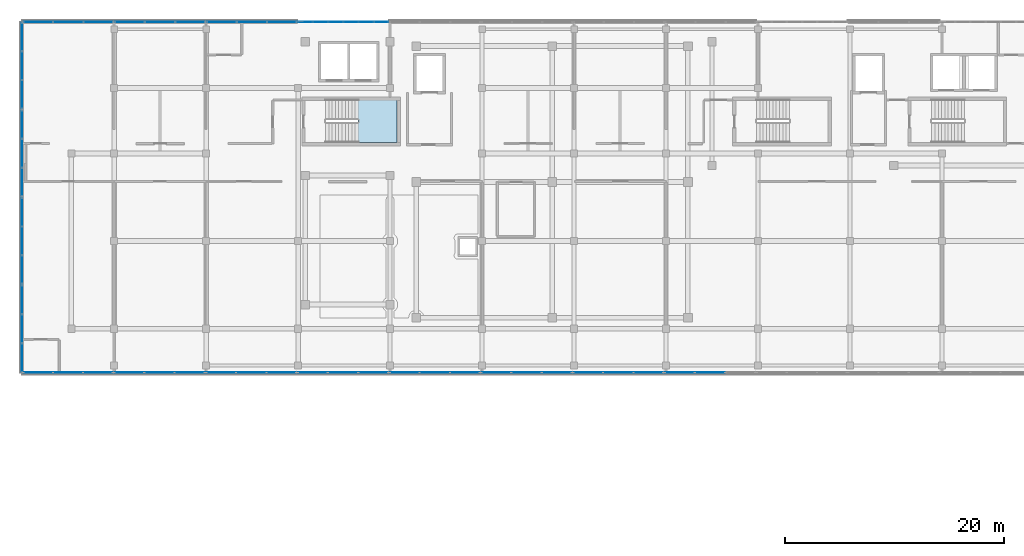
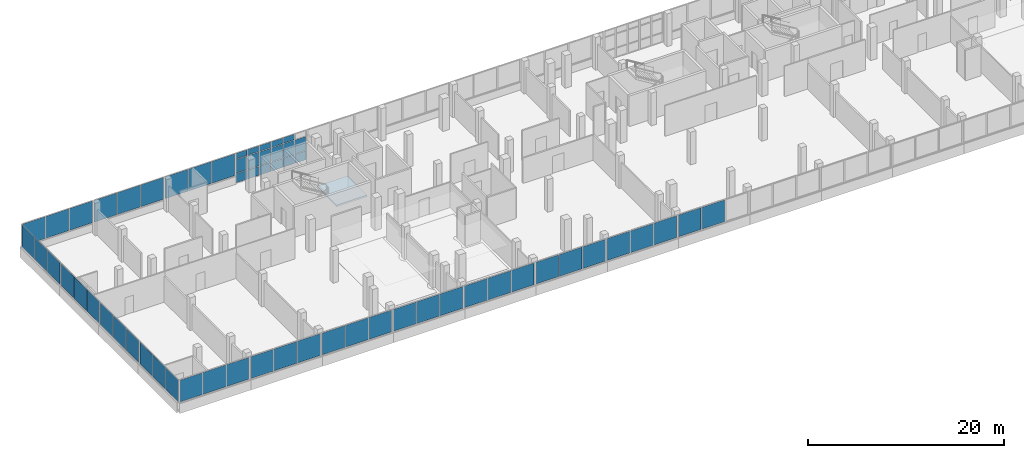
# One storey, part 61 of 76: 61 plates, 1 slab, 17 elements without a shape of their own.
"""IFC4 building model written with IfcOpenShell, lengths in metres."""

from ifc_helpers import new_model, si_unit, direction, frame, origin, origin_2d, place, context, subcontext, project, spatial, polyline, rectangle, outline, extrude, material, layer, layer_set, type_object, element, aggregate, save


model = new_model("IFC4")

# Units and contexts
model_context = context("Model", 3, precision=1e-05, world=origin(), true_north=direction((0.0, 1.0)))
body_context = subcontext(model_context, "Body", "Model", "MODEL_VIEW")
ifc_project = project(units=[si_unit("LENGTHUNIT", "METRE"), si_unit("AREAUNIT", "SQUARE_METRE"), si_unit("VOLUMEUNIT", "CUBIC_METRE"), si_unit("PLANEANGLEUNIT", "RADIAN"), si_unit("MASSUNIT", "GRAM", prefix="KILO")], contexts=[model_context])

# Site, building, storey
site_placement = place(None, origin())
site = spatial("IfcSite", under=ifc_project, at=site_placement, CompositionType="ELEMENT")
building_placement = place(site_placement, origin())
building = spatial("IfcBuilding", under=site, at=building_placement, Name="Selatvlak General Hospital", CompositionType="ELEMENT")
storey_placement = place(building_placement, frame((0.0, 0.0, 27.300048828125)))
storey = spatial("IfcBuildingStorey", under=building, at=storey_placement, Name="L06", CompositionType="ELEMENT", Elevation=27.300048828125)

# Curtain wall, plates
ifc_material_1 = material(Name="Solar-control Low-E double glazing", Category="glass")
curtain_wall_type_1 = type_object("IfcCurtainWallType", Name="CW-CW-02", PredefinedType="USERDEFINED", material=ifc_material_1)
curtain_wall_1_placement = place(storey_placement, origin())
curtain_wall_1 = element("IfcCurtainWall", 1, at=curtain_wall_1_placement, inside=storey, type_object=curtain_wall_type_1, Name="Glazed facade curtain wall CW-L06-0594", ObjectType="UNITISED CURTAIN WALL", PredefinedType="USERDEFINED")
ifc_layer_1 = layer(ifc_material_1, 0.028076171875, Name="Solar-control Low-E double glazing", Category="glass")
ifc_layer_set_1 = layer_set([ifc_layer_1], Name="Solar-control Low-E double glazing")
plate_type = type_object("IfcPlateType", Name="CWP-01", PredefinedType="CURTAIN_PANEL", material=ifc_layer_set_1)
plate_1_placement = place(storey_placement, frame((22.800048828125, 89.359619140625, 1.0048828125), z_axis=(0.0, 0.0, 1.0), x_axis=(0.0, 1.0, 0.0)))
plate_1 = element("IfcPlate", 2, at=plate_1_placement, type_object=plate_type, Name="CW-02 panel 1.1", PredefinedType="CURTAIN_PANEL", context=body_context, shape_type="SweptSolid", body=[
    extrude(rectangle(XDim=2.55908203125, YDim=0.028076171875, at=origin_2d()), origin(), (0.0, 0.0, 1.0), 2.7099609375),
])
plate_2_placement = place(storey_placement, frame((22.800048828125, 92.0, 1.0048828125), z_axis=(0.0, 0.0, 1.0), x_axis=(0.0, 1.0, 0.0)))
plate_2 = element("IfcPlate", 3, at=plate_2_placement, type_object=plate_type, Name="CW-02 panel 2.1", PredefinedType="CURTAIN_PANEL", context=body_context, shape_type="SweptSolid", body=[
    extrude(rectangle(XDim=2.591552734375, YDim=0.028076171875, at=origin_2d()), origin(), (0.0, 0.0, 1.0), 2.7099609375),
])
plate_3_placement = place(storey_placement, frame((22.800048828125, 94.640380859375, 1.0048828125), z_axis=(0.0, 0.0, 1.0), x_axis=(0.0, 1.0, 0.0)))
plate_3 = element("IfcPlate", 4, at=plate_3_placement, type_object=plate_type, Name="CW-02 panel 3.1", PredefinedType="CURTAIN_PANEL", context=body_context, shape_type="SweptSolid", body=[
    extrude(rectangle(XDim=2.55908203125, YDim=0.028076171875, at=origin_2d()), origin(), (0.0, 0.0, 1.0), 2.7099609375),
])
aggregate(curtain_wall_1, [plate_1, plate_2, plate_3])

curtain_wall_type_2 = type_object("IfcCurtainWallType", Name="CW-CW-01", PredefinedType="USERDEFINED", material=ifc_material_1)
curtain_wall_2_placement = place(storey_placement, origin())
curtain_wall_2 = element("IfcCurtainWall", 5, at=curtain_wall_2_placement, inside=storey, type_object=curtain_wall_type_2, Name="Glazed facade curtain wall CW-L06-0595", ObjectType="UNITISED CURTAIN WALL", PredefinedType="USERDEFINED")
plate_4_placement = place(storey_placement, frame((22.800048828125, 97.401123046875, 1.0048828125), z_axis=(0.0, 0.0, 1.0), x_axis=(0.0, 1.0, 0.0)))
plate_4 = element("IfcPlate", 6, at=plate_4_placement, type_object=plate_type, Name="CW-01 panel 1.1", PredefinedType="CURTAIN_PANEL", context=body_context, shape_type="SweptSolid", body=[
    extrude(rectangle(XDim=2.542236328125, YDim=0.028076171875, at=origin_2d()), origin(), (0.0, 0.0, 1.0), 2.7099609375),
])
plate_5_placement = place(storey_placement, frame((22.800048828125, 100.0244140625, 1.0048828125), z_axis=(0.0, 0.0, 1.0), x_axis=(0.0, 1.0, 0.0)))
plate_5 = element("IfcPlate", 7, at=plate_5_placement, type_object=plate_type, Name="CW-01 panel 2.1", PredefinedType="CURTAIN_PANEL", context=body_context, shape_type="SweptSolid", body=[
    extrude(rectangle(XDim=2.57470703125, YDim=0.028076171875, at=origin_2d()), origin(), (0.0, 0.0, 1.0), 2.7099609375),
])
plate_6_placement = place(storey_placement, frame((22.800048828125, 102.64794921875, 1.0048828125), z_axis=(0.0, 0.0, 1.0), x_axis=(0.0, 1.0, 0.0)))
plate_6 = element("IfcPlate", 8, at=plate_6_placement, type_object=plate_type, Name="CW-01 panel 3.1", PredefinedType="CURTAIN_PANEL", context=body_context, shape_type="SweptSolid", body=[
    extrude(rectangle(XDim=2.542236328125, YDim=0.028076171875, at=origin_2d()), origin(), (0.0, 0.0, 1.0), 2.7099609375),
])
aggregate(curtain_wall_2, [plate_4, plate_5, plate_6])

curtain_wall_3_placement = place(storey_placement, origin())
curtain_wall_3 = element("IfcCurtainWall", 9, at=curtain_wall_3_placement, inside=storey, type_object=curtain_wall_type_1, Name="Glazed facade curtain wall CW-L06-0596", ObjectType="UNITISED CURTAIN WALL", PredefinedType="USERDEFINED")
plate_7_placement = place(storey_placement, frame((22.800048828125, 105.400146484375, 1.0048828125), z_axis=(0.0, 0.0, 1.0), x_axis=(0.0, 1.0, 0.0)))
plate_7 = element("IfcPlate", 10, at=plate_7_placement, type_object=plate_type, Name="CW-02 panel 1.1", PredefinedType="CURTAIN_PANEL", context=body_context, shape_type="SweptSolid", body=[
    extrude(rectangle(XDim=2.54248046875, YDim=0.028076171875, at=origin_2d()), origin(), (0.0, 0.0, 1.0), 2.7099609375),
])
plate_8_placement = place(storey_placement, frame((22.800048828125, 108.02392578125, 1.0048828125), z_axis=(0.0, 0.0, 1.0), x_axis=(0.0, 1.0, 0.0)))
plate_8 = element("IfcPlate", 11, at=plate_8_placement, type_object=plate_type, Name="CW-02 panel 2.1", PredefinedType="CURTAIN_PANEL", context=body_context, shape_type="SweptSolid", body=[
    extrude(rectangle(XDim=2.574951171875, YDim=0.028076171875, at=origin_2d()), origin(), (0.0, 0.0, 1.0), 2.7099609375),
])
plate_9_placement = place(storey_placement, frame((22.800048828125, 110.647705078125, 1.0048828125), z_axis=(0.0, 0.0, 1.0), x_axis=(0.0, 1.0, 0.0)))
plate_9 = element("IfcPlate", 12, at=plate_9_placement, type_object=plate_type, Name="CW-02 panel 3.1", PredefinedType="CURTAIN_PANEL", context=body_context, shape_type="SweptSolid", body=[
    extrude(rectangle(XDim=2.54248046875, YDim=0.028076171875, at=origin_2d()), origin(), (0.0, 0.0, 1.0), 2.7099609375),
])
aggregate(curtain_wall_3, [plate_7, plate_8, plate_9])

curtain_wall_4_placement = place(storey_placement, origin())
curtain_wall_4 = element("IfcCurtainWall", 13, at=curtain_wall_4_placement, inside=storey, type_object=curtain_wall_type_2, Name="Glazed facade curtain wall CW-L06-0597", ObjectType="UNITISED CURTAIN WALL", PredefinedType="USERDEFINED")
plate_10_placement = place(storey_placement, frame((22.800048828125, 113.400146484375, 1.0048828125), z_axis=(0.0, 0.0, 1.0), x_axis=(0.0, 1.0, 0.0)))
plate_10 = element("IfcPlate", 14, at=plate_10_placement, type_object=plate_type, Name="CW-01 panel 1.1", PredefinedType="CURTAIN_PANEL", context=body_context, shape_type="SweptSolid", body=[
    extrude(rectangle(XDim=2.54248046875, YDim=0.028076171875, at=origin_2d()), origin(), (0.0, 0.0, 1.0), 2.7099609375),
])
plate_11_placement = place(storey_placement, frame((22.800048828125, 116.02392578125, 1.0048828125), z_axis=(0.0, 0.0, 1.0), x_axis=(0.0, 1.0, 0.0)))
plate_11 = element("IfcPlate", 15, at=plate_11_placement, type_object=plate_type, Name="CW-01 panel 2.1", PredefinedType="CURTAIN_PANEL", context=body_context, shape_type="SweptSolid", body=[
    extrude(rectangle(XDim=2.574951171875, YDim=0.028076171875, at=origin_2d()), origin(), (0.0, 0.0, 1.0), 2.7099609375),
])
plate_12_placement = place(storey_placement, frame((22.800048828125, 118.647705078125, 1.0048828125), z_axis=(0.0, 0.0, 1.0), x_axis=(0.0, 1.0, 0.0)))
plate_12 = element("IfcPlate", 16, at=plate_12_placement, type_object=plate_type, Name="CW-01 panel 3.1", PredefinedType="CURTAIN_PANEL", context=body_context, shape_type="SweptSolid", body=[
    extrude(rectangle(XDim=2.54248046875, YDim=0.028076171875, at=origin_2d()), origin(), (0.0, 0.0, 1.0), 2.7099609375),
])
aggregate(curtain_wall_4, [plate_10, plate_11, plate_12])

curtain_wall_5_placement = place(storey_placement, origin())
curtain_wall_5 = element("IfcCurtainWall", 17, at=curtain_wall_5_placement, inside=storey, type_object=curtain_wall_type_1, Name="Glazed facade curtain wall CW-L06-0598", ObjectType="UNITISED CURTAIN WALL", PredefinedType="USERDEFINED")
plate_13_placement = place(storey_placement, frame((24.264404296875, 119.9990234375, 1.0048828125), z_axis=(0.0, 0.0, 1.0), x_axis=(1.0, 0.0, 0.0)))
plate_13 = element("IfcPlate", 18, at=plate_13_placement, type_object=plate_type, Name="CW-02 panel 1.1", PredefinedType="CURTAIN_PANEL", context=body_context, shape_type="SweptSolid", body=[
    extrude(rectangle(XDim=2.6689453125, YDim=0.028076171875, at=origin_2d()), origin(), (0.0, 0.0, 1.0), 2.7099609375),
])
plate_14_placement = place(storey_placement, frame((27.014404296875, 119.9990234375, 1.0048828125), z_axis=(0.0, 0.0, 1.0), x_axis=(1.0, 0.0, 0.0)))
plate_14 = element("IfcPlate", 19, at=plate_14_placement, type_object=plate_type, Name="CW-02 panel 2.1", PredefinedType="CURTAIN_PANEL", context=body_context, shape_type="SweptSolid", body=[
    extrude(rectangle(XDim=2.701416015625, YDim=0.028076171875, at=origin_2d()), origin(), (0.0, 0.0, 1.0), 2.7099609375),
])
plate_15_placement = place(storey_placement, frame((29.7646484375, 119.9990234375, 1.0048828125), z_axis=(0.0, 0.0, 1.0), x_axis=(1.0, 0.0, 0.0)))
plate_15 = element("IfcPlate", 20, at=plate_15_placement, type_object=plate_type, Name="CW-02 panel 3.1", PredefinedType="CURTAIN_PANEL", context=body_context, shape_type="SweptSolid", body=[
    extrude(rectangle(XDim=2.6689453125, YDim=0.028076171875, at=origin_2d()), origin(), (0.0, 0.0, 1.0), 2.7099609375),
])
aggregate(curtain_wall_5, [plate_13, plate_14, plate_15])

curtain_wall_6_placement = place(storey_placement, origin())
curtain_wall_6 = element("IfcCurtainWall", 21, at=curtain_wall_6_placement, inside=storey, type_object=curtain_wall_type_2, Name="Glazed facade curtain wall CW-L06-0599", ObjectType="UNITISED CURTAIN WALL", PredefinedType="USERDEFINED")
plate_16_placement = place(storey_placement, frame((32.643310546875, 119.9990234375, 1.0048828125), z_axis=(0.0, 0.0, 1.0), x_axis=(1.0, 0.0, 0.0)))
plate_16 = element("IfcPlate", 22, at=plate_16_placement, type_object=plate_type, Name="CW-01 panel 1.1", PredefinedType="CURTAIN_PANEL", context=body_context, shape_type="SweptSolid", body=[
    extrude(rectangle(XDim=2.6689453125, YDim=0.028076171875, at=origin_2d()), origin(), (0.0, 0.0, 1.0), 2.7099609375),
])
plate_17_placement = place(storey_placement, frame((35.3935546875, 119.9990234375, 1.0048828125), z_axis=(0.0, 0.0, 1.0), x_axis=(1.0, 0.0, 0.0)))
plate_17 = element("IfcPlate", 23, at=plate_17_placement, type_object=plate_type, Name="CW-01 panel 2.1", PredefinedType="CURTAIN_PANEL", context=body_context, shape_type="SweptSolid", body=[
    extrude(rectangle(XDim=2.701416015625, YDim=0.028076171875, at=origin_2d()), origin(), (0.0, 0.0, 1.0), 2.7099609375),
])
plate_18_placement = place(storey_placement, frame((38.1435546875, 119.9990234375, 1.0048828125), z_axis=(0.0, 0.0, 1.0), x_axis=(1.0, 0.0, 0.0)))
plate_18 = element("IfcPlate", 24, at=plate_18_placement, type_object=plate_type, Name="CW-01 panel 3.1", PredefinedType="CURTAIN_PANEL", context=body_context, shape_type="SweptSolid", body=[
    extrude(rectangle(XDim=2.6689453125, YDim=0.028076171875, at=origin_2d()), origin(), (0.0, 0.0, 1.0), 2.7099609375),
])
aggregate(curtain_wall_6, [plate_16, plate_17, plate_18])

curtain_wall_7_placement = place(storey_placement, origin())
curtain_wall_7 = element("IfcCurtainWall", 25, at=curtain_wall_7_placement, inside=storey, type_object=curtain_wall_type_1, Name="Glazed facade curtain wall CW-L06-0600", ObjectType="UNITISED CURTAIN WALL", PredefinedType="USERDEFINED")
plate_19_placement = place(storey_placement, frame((41.0224609375, 119.9990234375, 1.0048828125), z_axis=(0.0, 0.0, 1.0), x_axis=(1.0, 0.0, 0.0)))
plate_19 = element("IfcPlate", 26, at=plate_19_placement, type_object=plate_type, Name="CW-02 panel 1.1", PredefinedType="CURTAIN_PANEL", context=body_context, shape_type="SweptSolid", body=[
    extrude(rectangle(XDim=2.6689453125, YDim=0.028076171875, at=origin_2d()), origin(), (0.0, 0.0, 1.0), 2.7099609375),
])
plate_20_placement = place(storey_placement, frame((43.7724609375, 119.9990234375, 1.0048828125), z_axis=(0.0, 0.0, 1.0), x_axis=(1.0, 0.0, 0.0)))
plate_20 = element("IfcPlate", 27, at=plate_20_placement, type_object=plate_type, Name="CW-02 panel 2.1", PredefinedType="CURTAIN_PANEL", context=body_context, shape_type="SweptSolid", body=[
    extrude(rectangle(XDim=2.701416015625, YDim=0.028076171875, at=origin_2d()), origin(), (0.0, 0.0, 1.0), 2.7099609375),
])
plate_21_placement = place(storey_placement, frame((46.522705078125, 119.9990234375, 1.0048828125), z_axis=(0.0, 0.0, 1.0), x_axis=(1.0, 0.0, 0.0)))
plate_21 = element("IfcPlate", 28, at=plate_21_placement, type_object=plate_type, Name="CW-02 panel 3.1", PredefinedType="CURTAIN_PANEL", context=body_context, shape_type="SweptSolid", body=[
    extrude(rectangle(XDim=2.6689453125, YDim=0.028076171875, at=origin_2d()), origin(), (0.0, 0.0, 1.0), 2.7099609375),
])
aggregate(curtain_wall_7, [plate_19, plate_20, plate_21])

curtain_wall_type_3 = type_object("IfcCurtainWallType", Name="CW-CW-04", PredefinedType="USERDEFINED", material=ifc_material_1)
curtain_wall_8_placement = place(storey_placement, origin())
curtain_wall_8 = element("IfcCurtainWall", 29, at=curtain_wall_8_placement, inside=storey, type_object=curtain_wall_type_3, Name="Glazed facade curtain wall CW-L06-0601", ObjectType="STICK GLAZING WALL", PredefinedType="USERDEFINED")
plate_22_placement = place(storey_placement, frame((48.6640625, 119.9990234375, 0.06494140625), z_axis=(0.0, 0.0, 1.0), x_axis=(1.0, 0.0, 0.0)))
plate_22 = element("IfcPlate", 30, at=plate_22_placement, type_object=plate_type, Name="CW-04 panel 1.1", PredefinedType="CURTAIN_PANEL", context=body_context, shape_type="SweptSolid", body=[
    extrude(rectangle(XDim=1.2939453125, YDim=0.028076171875, at=origin_2d()), origin(), (0.0, 0.0, 1.0), 1.1025390625),
])
plate_23_placement = place(storey_placement, frame((48.6640625, 119.9990234375, 1.232421875), z_axis=(0.0, 0.0, 1.0), x_axis=(1.0, 0.0, 0.0)))
plate_23 = element("IfcPlate", 31, at=plate_23_placement, type_object=plate_type, Name="CW-04 panel 1.2", PredefinedType="CURTAIN_PANEL", context=body_context, shape_type="SweptSolid", body=[
    extrude(rectangle(XDim=1.2939453125, YDim=0.028076171875, at=origin_2d()), origin(), (0.0, 0.0, 1.0), 1.715087890625),
])
plate_24_placement = place(storey_placement, frame((48.6640625, 119.9990234375, 3.0126953125), z_axis=(0.0, 0.0, 1.0), x_axis=(1.0, 0.0, 0.0)))
plate_24 = element("IfcPlate", 32, at=plate_24_placement, type_object=plate_type, Name="CW-04 panel 1.3", PredefinedType="CURTAIN_PANEL", context=body_context, shape_type="SweptSolid", body=[
    extrude(rectangle(XDim=1.2939453125, YDim=0.028076171875, at=origin_2d()), origin(), (0.0, 0.0, 1.0), 0.702392578125),
])
plate_25_placement = place(storey_placement, frame((50.039306640625, 119.9990234375, 0.06494140625), z_axis=(0.0, 0.0, 1.0), x_axis=(1.0, 0.0, 0.0)))
plate_25 = element("IfcPlate", 33, at=plate_25_placement, type_object=plate_type, Name="CW-04 panel 2.1", PredefinedType="CURTAIN_PANEL", context=body_context, shape_type="SweptSolid", body=[
    extrude(rectangle(XDim=1.326416015625, YDim=0.028076171875, at=origin_2d()), origin(), (0.0, 0.0, 1.0), 1.1025390625),
])
plate_26_placement = place(storey_placement, frame((50.039306640625, 119.9990234375, 1.232421875), z_axis=(0.0, 0.0, 1.0), x_axis=(1.0, 0.0, 0.0)))
plate_26 = element("IfcPlate", 34, at=plate_26_placement, type_object=plate_type, Name="CW-04 panel 2.2", PredefinedType="CURTAIN_PANEL", context=body_context, shape_type="SweptSolid", body=[
    extrude(rectangle(XDim=1.326416015625, YDim=0.028076171875, at=origin_2d()), origin(), (0.0, 0.0, 1.0), 1.715087890625),
])
plate_27_placement = place(storey_placement, frame((50.039306640625, 119.9990234375, 3.0126953125), z_axis=(0.0, 0.0, 1.0), x_axis=(1.0, 0.0, 0.0)))
plate_27 = element("IfcPlate", 35, at=plate_27_placement, type_object=plate_type, Name="CW-04 panel 2.3", PredefinedType="CURTAIN_PANEL", context=body_context, shape_type="SweptSolid", body=[
    extrude(rectangle(XDim=1.326416015625, YDim=0.028076171875, at=origin_2d()), origin(), (0.0, 0.0, 1.0), 0.702392578125),
])
plate_28_placement = place(storey_placement, frame((51.4306640625, 119.9990234375, 0.06494140625), z_axis=(0.0, 0.0, 1.0), x_axis=(1.0, 0.0, 0.0)))
plate_28 = element("IfcPlate", 36, at=plate_28_placement, type_object=plate_type, Name="CW-04 panel 3.1", PredefinedType="CURTAIN_PANEL", context=body_context, shape_type="SweptSolid", body=[
    extrude(rectangle(XDim=1.326416015625, YDim=0.028076171875, at=origin_2d()), origin(), (0.0, 0.0, 1.0), 1.1025390625),
])
plate_29_placement = place(storey_placement, frame((51.4306640625, 119.9990234375, 1.232421875), z_axis=(0.0, 0.0, 1.0), x_axis=(1.0, 0.0, 0.0)))
plate_29 = element("IfcPlate", 37, at=plate_29_placement, type_object=plate_type, Name="CW-04 panel 3.2", PredefinedType="CURTAIN_PANEL", context=body_context, shape_type="SweptSolid", body=[
    extrude(rectangle(XDim=1.326416015625, YDim=0.028076171875, at=origin_2d()), origin(), (0.0, 0.0, 1.0), 1.715087890625),
])
plate_30_placement = place(storey_placement, frame((51.4306640625, 119.9990234375, 3.0126953125), z_axis=(0.0, 0.0, 1.0), x_axis=(1.0, 0.0, 0.0)))
plate_30 = element("IfcPlate", 38, at=plate_30_placement, type_object=plate_type, Name="CW-04 panel 3.3", PredefinedType="CURTAIN_PANEL", context=body_context, shape_type="SweptSolid", body=[
    extrude(rectangle(XDim=1.326416015625, YDim=0.028076171875, at=origin_2d()), origin(), (0.0, 0.0, 1.0), 0.702392578125),
])
plate_31_placement = place(storey_placement, frame((52.822265625, 119.9990234375, 0.06494140625), z_axis=(0.0, 0.0, 1.0), x_axis=(1.0, 0.0, 0.0)))
plate_31 = element("IfcPlate", 39, at=plate_31_placement, type_object=plate_type, Name="CW-04 panel 4.1", PredefinedType="CURTAIN_PANEL", context=body_context, shape_type="SweptSolid", body=[
    extrude(rectangle(XDim=1.326416015625, YDim=0.028076171875, at=origin_2d()), origin(), (0.0, 0.0, 1.0), 1.1025390625),
])
plate_32_placement = place(storey_placement, frame((52.822265625, 119.9990234375, 1.232421875), z_axis=(0.0, 0.0, 1.0), x_axis=(1.0, 0.0, 0.0)))
plate_32 = element("IfcPlate", 40, at=plate_32_placement, type_object=plate_type, Name="CW-04 panel 4.2", PredefinedType="CURTAIN_PANEL", context=body_context, shape_type="SweptSolid", body=[
    extrude(rectangle(XDim=1.326416015625, YDim=0.028076171875, at=origin_2d()), origin(), (0.0, 0.0, 1.0), 1.715087890625),
])
plate_33_placement = place(storey_placement, frame((52.822265625, 119.9990234375, 3.0126953125), z_axis=(0.0, 0.0, 1.0), x_axis=(1.0, 0.0, 0.0)))
plate_33 = element("IfcPlate", 41, at=plate_33_placement, type_object=plate_type, Name="CW-04 panel 4.3", PredefinedType="CURTAIN_PANEL", context=body_context, shape_type="SweptSolid", body=[
    extrude(rectangle(XDim=1.326416015625, YDim=0.028076171875, at=origin_2d()), origin(), (0.0, 0.0, 1.0), 0.702392578125),
])
plate_34_placement = place(storey_placement, frame((54.2138671875, 119.9990234375, 0.06494140625), z_axis=(0.0, 0.0, 1.0), x_axis=(1.0, 0.0, 0.0)))
plate_34 = element("IfcPlate", 42, at=plate_34_placement, type_object=plate_type, Name="CW-04 panel 5.1", PredefinedType="CURTAIN_PANEL", context=body_context, shape_type="SweptSolid", body=[
    extrude(rectangle(XDim=1.326416015625, YDim=0.028076171875, at=origin_2d()), origin(), (0.0, 0.0, 1.0), 1.1025390625),
])
plate_35_placement = place(storey_placement, frame((54.2138671875, 119.9990234375, 1.232421875), z_axis=(0.0, 0.0, 1.0), x_axis=(1.0, 0.0, 0.0)))
plate_35 = element("IfcPlate", 43, at=plate_35_placement, type_object=plate_type, Name="CW-04 panel 5.2", PredefinedType="CURTAIN_PANEL", context=body_context, shape_type="SweptSolid", body=[
    extrude(rectangle(XDim=1.326416015625, YDim=0.028076171875, at=origin_2d()), origin(), (0.0, 0.0, 1.0), 1.715087890625),
])
plate_36_placement = place(storey_placement, frame((54.2138671875, 119.9990234375, 3.0126953125), z_axis=(0.0, 0.0, 1.0), x_axis=(1.0, 0.0, 0.0)))
plate_36 = element("IfcPlate", 44, at=plate_36_placement, type_object=plate_type, Name="CW-04 panel 5.3", PredefinedType="CURTAIN_PANEL", context=body_context, shape_type="SweptSolid", body=[
    extrude(rectangle(XDim=1.326416015625, YDim=0.028076171875, at=origin_2d()), origin(), (0.0, 0.0, 1.0), 0.702392578125),
])
plate_37_placement = place(storey_placement, frame((55.589111328125, 119.9990234375, 0.06494140625), z_axis=(0.0, 0.0, 1.0), x_axis=(1.0, 0.0, 0.0)))
plate_37 = element("IfcPlate", 45, at=plate_37_placement, type_object=plate_type, Name="CW-04 panel 6.1", PredefinedType="CURTAIN_PANEL", context=body_context, shape_type="SweptSolid", body=[
    extrude(rectangle(XDim=1.2939453125, YDim=0.028076171875, at=origin_2d()), origin(), (0.0, 0.0, 1.0), 1.1025390625),
])
plate_38_placement = place(storey_placement, frame((55.589111328125, 119.9990234375, 1.232421875), z_axis=(0.0, 0.0, 1.0), x_axis=(1.0, 0.0, 0.0)))
plate_38 = element("IfcPlate", 46, at=plate_38_placement, type_object=plate_type, Name="CW-04 panel 6.2", PredefinedType="CURTAIN_PANEL", context=body_context, shape_type="SweptSolid", body=[
    extrude(rectangle(XDim=1.2939453125, YDim=0.028076171875, at=origin_2d()), origin(), (0.0, 0.0, 1.0), 1.715087890625),
])
aggregate(curtain_wall_8, [plate_22, plate_23, plate_24, plate_25, plate_26, plate_27, plate_28, plate_29, plate_30, plate_31, plate_32, plate_33, plate_34, plate_35, plate_36, plate_37, plate_38])

curtain_wall_9_placement = place(storey_placement, origin())
curtain_wall_9 = element("IfcCurtainWall", 47, at=curtain_wall_9_placement, inside=storey, type_object=curtain_wall_type_2, Name="Glazed facade curtain wall CW-L06-0631", ObjectType="UNITISED CURTAIN WALL", PredefinedType="USERDEFINED")
plate_39_placement = place(storey_placement, frame((85.617431640625, 88.0, 1.0048828125), z_axis=(0.0, 0.0, 1.0), x_axis=(-1.0, 0.0, 0.0)))
plate_39 = element("IfcPlate", 48, at=plate_39_placement, type_object=plate_type, Name="CW-01 panel 2.1", PredefinedType="CURTAIN_PANEL", context=body_context, shape_type="SweptSolid", body=[
    extrude(rectangle(XDim=2.701416015625, YDim=0.028076171875, at=origin_2d()), origin(), (0.0, 0.0, 1.0), 2.7099609375),
])
plate_40_placement = place(storey_placement, frame((82.867431640625, 88.0, 1.0048828125), z_axis=(0.0, 0.0, 1.0), x_axis=(-1.0, 0.0, 0.0)))
plate_40 = element("IfcPlate", 49, at=plate_40_placement, type_object=plate_type, Name="CW-01 panel 3.1", PredefinedType="CURTAIN_PANEL", context=body_context, shape_type="SweptSolid", body=[
    extrude(rectangle(XDim=2.6689453125, YDim=0.028076171875, at=origin_2d()), origin(), (0.0, 0.0, 1.0), 2.7099609375),
])
aggregate(curtain_wall_9, [plate_39, plate_40])

curtain_wall_10_placement = place(storey_placement, origin())
curtain_wall_10 = element("IfcCurtainWall", 50, at=curtain_wall_10_placement, inside=storey, type_object=curtain_wall_type_1, Name="Glazed facade curtain wall CW-L06-0632", ObjectType="UNITISED CURTAIN WALL", PredefinedType="USERDEFINED")
plate_41_placement = place(storey_placement, frame((79.988525390625, 88.0, 1.0048828125), z_axis=(0.0, 0.0, 1.0), x_axis=(-1.0, 0.0, 0.0)))
plate_41 = element("IfcPlate", 51, at=plate_41_placement, type_object=plate_type, Name="CW-02 panel 1.1", PredefinedType="CURTAIN_PANEL", context=body_context, shape_type="SweptSolid", body=[
    extrude(rectangle(XDim=2.6689453125, YDim=0.028076171875, at=origin_2d()), origin(), (0.0, 0.0, 1.0), 2.7099609375),
])
plate_42_placement = place(storey_placement, frame((77.238525390625, 88.0, 1.0048828125), z_axis=(0.0, 0.0, 1.0), x_axis=(-1.0, 0.0, 0.0)))
plate_42 = element("IfcPlate", 52, at=plate_42_placement, type_object=plate_type, Name="CW-02 panel 2.1", PredefinedType="CURTAIN_PANEL", context=body_context, shape_type="SweptSolid", body=[
    extrude(rectangle(XDim=2.701416015625, YDim=0.028076171875, at=origin_2d()), origin(), (0.0, 0.0, 1.0), 2.7099609375),
])
plate_43_placement = place(storey_placement, frame((74.488525390625, 88.0, 1.0048828125), z_axis=(0.0, 0.0, 1.0), x_axis=(-1.0, 0.0, 0.0)))
plate_43 = element("IfcPlate", 53, at=plate_43_placement, type_object=plate_type, Name="CW-02 panel 3.1", PredefinedType="CURTAIN_PANEL", context=body_context, shape_type="SweptSolid", body=[
    extrude(rectangle(XDim=2.6689453125, YDim=0.028076171875, at=origin_2d()), origin(), (0.0, 0.0, 1.0), 2.7099609375),
])
aggregate(curtain_wall_10, [plate_41, plate_42, plate_43])

curtain_wall_11_placement = place(storey_placement, origin())
curtain_wall_11 = element("IfcCurtainWall", 54, at=curtain_wall_11_placement, inside=storey, type_object=curtain_wall_type_2, Name="Glazed facade curtain wall CW-L06-0633", ObjectType="UNITISED CURTAIN WALL", PredefinedType="USERDEFINED")
plate_44_placement = place(storey_placement, frame((71.609619140625, 88.0, 1.0048828125), z_axis=(0.0, 0.0, 1.0), x_axis=(-1.0, 0.0, 0.0)))
plate_44 = element("IfcPlate", 55, at=plate_44_placement, type_object=plate_type, Name="CW-01 panel 1.1", PredefinedType="CURTAIN_PANEL", context=body_context, shape_type="SweptSolid", body=[
    extrude(rectangle(XDim=2.6689453125, YDim=0.028076171875, at=origin_2d()), origin(), (0.0, 0.0, 1.0), 2.7099609375),
])
plate_45_placement = place(storey_placement, frame((68.859619140625, 88.0, 1.0048828125), z_axis=(0.0, 0.0, 1.0), x_axis=(-1.0, 0.0, 0.0)))
plate_45 = element("IfcPlate", 56, at=plate_45_placement, type_object=plate_type, Name="CW-01 panel 2.1", PredefinedType="CURTAIN_PANEL", context=body_context, shape_type="SweptSolid", body=[
    extrude(rectangle(XDim=2.701416015625, YDim=0.028076171875, at=origin_2d()), origin(), (0.0, 0.0, 1.0), 2.7099609375),
])
plate_46_placement = place(storey_placement, frame((66.109375, 88.0, 1.0048828125), z_axis=(0.0, 0.0, 1.0), x_axis=(-1.0, 0.0, 0.0)))
plate_46 = element("IfcPlate", 57, at=plate_46_placement, type_object=plate_type, Name="CW-01 panel 3.1", PredefinedType="CURTAIN_PANEL", context=body_context, shape_type="SweptSolid", body=[
    extrude(rectangle(XDim=2.6689453125, YDim=0.028076171875, at=origin_2d()), origin(), (0.0, 0.0, 1.0), 2.7099609375),
])
aggregate(curtain_wall_11, [plate_44, plate_45, plate_46])

curtain_wall_12_placement = place(storey_placement, origin())
curtain_wall_12 = element("IfcCurtainWall", 58, at=curtain_wall_12_placement, inside=storey, type_object=curtain_wall_type_1, Name="Glazed facade curtain wall CW-L06-0634", ObjectType="UNITISED CURTAIN WALL", PredefinedType="USERDEFINED")
plate_47_placement = place(storey_placement, frame((63.23046875, 88.0, 1.0048828125), z_axis=(0.0, 0.0, 1.0), x_axis=(-1.0, 0.0, 0.0)))
plate_47 = element("IfcPlate", 59, at=plate_47_placement, type_object=plate_type, Name="CW-02 panel 1.1", PredefinedType="CURTAIN_PANEL", context=body_context, shape_type="SweptSolid", body=[
    extrude(rectangle(XDim=2.6689453125, YDim=0.028076171875, at=origin_2d()), origin(), (0.0, 0.0, 1.0), 2.7099609375),
])
plate_48_placement = place(storey_placement, frame((60.48046875, 88.0, 1.0048828125), z_axis=(0.0, 0.0, 1.0), x_axis=(-1.0, 0.0, 0.0)))
plate_48 = element("IfcPlate", 60, at=plate_48_placement, type_object=plate_type, Name="CW-02 panel 2.1", PredefinedType="CURTAIN_PANEL", context=body_context, shape_type="SweptSolid", body=[
    extrude(rectangle(XDim=2.701416015625, YDim=0.028076171875, at=origin_2d()), origin(), (0.0, 0.0, 1.0), 2.7099609375),
])
plate_49_placement = place(storey_placement, frame((57.73046875, 88.0, 1.0048828125), z_axis=(0.0, 0.0, 1.0), x_axis=(-1.0, 0.0, 0.0)))
plate_49 = element("IfcPlate", 61, at=plate_49_placement, type_object=plate_type, Name="CW-02 panel 3.1", PredefinedType="CURTAIN_PANEL", context=body_context, shape_type="SweptSolid", body=[
    extrude(rectangle(XDim=2.6689453125, YDim=0.028076171875, at=origin_2d()), origin(), (0.0, 0.0, 1.0), 2.7099609375),
])
aggregate(curtain_wall_12, [plate_47, plate_48, plate_49])

curtain_wall_13_placement = place(storey_placement, origin())
curtain_wall_13 = element("IfcCurtainWall", 62, at=curtain_wall_13_placement, inside=storey, type_object=curtain_wall_type_2, Name="Glazed facade curtain wall CW-L06-0635", ObjectType="UNITISED CURTAIN WALL", PredefinedType="USERDEFINED")
plate_50_placement = place(storey_placement, frame((54.8515625, 88.0, 1.0048828125), z_axis=(0.0, 0.0, 1.0), x_axis=(-1.0, 0.0, 0.0)))
plate_50 = element("IfcPlate", 63, at=plate_50_placement, type_object=plate_type, Name="CW-01 panel 1.1", PredefinedType="CURTAIN_PANEL", context=body_context, shape_type="SweptSolid", body=[
    extrude(rectangle(XDim=2.6689453125, YDim=0.028076171875, at=origin_2d()), origin(), (0.0, 0.0, 1.0), 2.7099609375),
])
plate_51_placement = place(storey_placement, frame((52.1015625, 88.0, 1.0048828125), z_axis=(0.0, 0.0, 1.0), x_axis=(-1.0, 0.0, 0.0)))
plate_51 = element("IfcPlate", 64, at=plate_51_placement, type_object=plate_type, Name="CW-01 panel 2.1", PredefinedType="CURTAIN_PANEL", context=body_context, shape_type="SweptSolid", body=[
    extrude(rectangle(XDim=2.701416015625, YDim=0.028076171875, at=origin_2d()), origin(), (0.0, 0.0, 1.0), 2.7099609375),
])
plate_52_placement = place(storey_placement, frame((49.351318359375, 88.0, 1.0048828125), z_axis=(0.0, 0.0, 1.0), x_axis=(-1.0, 0.0, 0.0)))
plate_52 = element("IfcPlate", 65, at=plate_52_placement, type_object=plate_type, Name="CW-01 panel 3.1", PredefinedType="CURTAIN_PANEL", context=body_context, shape_type="SweptSolid", body=[
    extrude(rectangle(XDim=2.6689453125, YDim=0.028076171875, at=origin_2d()), origin(), (0.0, 0.0, 1.0), 2.7099609375),
])
aggregate(curtain_wall_13, [plate_50, plate_51, plate_52])

curtain_wall_14_placement = place(storey_placement, origin())
curtain_wall_14 = element("IfcCurtainWall", 66, at=curtain_wall_14_placement, inside=storey, type_object=curtain_wall_type_1, Name="Glazed facade curtain wall CW-L06-0636", ObjectType="UNITISED CURTAIN WALL", PredefinedType="USERDEFINED")
plate_53_placement = place(storey_placement, frame((46.47265625, 88.0, 1.0048828125), z_axis=(0.0, 0.0, 1.0), x_axis=(-1.0, 0.0, 0.0)))
plate_53 = element("IfcPlate", 67, at=plate_53_placement, type_object=plate_type, Name="CW-02 panel 1.1", PredefinedType="CURTAIN_PANEL", context=body_context, shape_type="SweptSolid", body=[
    extrude(rectangle(XDim=2.6689453125, YDim=0.028076171875, at=origin_2d()), origin(), (0.0, 0.0, 1.0), 2.7099609375),
])
plate_54_placement = place(storey_placement, frame((43.722412109375, 88.0, 1.0048828125), z_axis=(0.0, 0.0, 1.0), x_axis=(-1.0, 0.0, 0.0)))
plate_54 = element("IfcPlate", 68, at=plate_54_placement, type_object=plate_type, Name="CW-02 panel 2.1", PredefinedType="CURTAIN_PANEL", context=body_context, shape_type="SweptSolid", body=[
    extrude(rectangle(XDim=2.701416015625, YDim=0.028076171875, at=origin_2d()), origin(), (0.0, 0.0, 1.0), 2.7099609375),
])
plate_55_placement = place(storey_placement, frame((40.972412109375, 88.0, 1.0048828125), z_axis=(0.0, 0.0, 1.0), x_axis=(-1.0, 0.0, 0.0)))
plate_55 = element("IfcPlate", 69, at=plate_55_placement, type_object=plate_type, Name="CW-02 panel 3.1", PredefinedType="CURTAIN_PANEL", context=body_context, shape_type="SweptSolid", body=[
    extrude(rectangle(XDim=2.6689453125, YDim=0.028076171875, at=origin_2d()), origin(), (0.0, 0.0, 1.0), 2.7099609375),
])
aggregate(curtain_wall_14, [plate_53, plate_54, plate_55])

curtain_wall_15_placement = place(storey_placement, origin())
curtain_wall_15 = element("IfcCurtainWall", 70, at=curtain_wall_15_placement, inside=storey, type_object=curtain_wall_type_2, Name="Glazed facade curtain wall CW-L06-0637", ObjectType="UNITISED CURTAIN WALL", PredefinedType="USERDEFINED")
plate_56_placement = place(storey_placement, frame((38.093505859375, 88.0, 1.0048828125), z_axis=(0.0, 0.0, 1.0), x_axis=(-1.0, 0.0, 0.0)))
plate_56 = element("IfcPlate", 71, at=plate_56_placement, type_object=plate_type, Name="CW-01 panel 1.1", PredefinedType="CURTAIN_PANEL", context=body_context, shape_type="SweptSolid", body=[
    extrude(rectangle(XDim=2.6689453125, YDim=0.028076171875, at=origin_2d()), origin(), (0.0, 0.0, 1.0), 2.7099609375),
])
plate_57_placement = place(storey_placement, frame((35.343505859375, 88.0, 1.0048828125), z_axis=(0.0, 0.0, 1.0), x_axis=(-1.0, 0.0, 0.0)))
plate_57 = element("IfcPlate", 72, at=plate_57_placement, type_object=plate_type, Name="CW-01 panel 2.1", PredefinedType="CURTAIN_PANEL", context=body_context, shape_type="SweptSolid", body=[
    extrude(rectangle(XDim=2.701416015625, YDim=0.028076171875, at=origin_2d()), origin(), (0.0, 0.0, 1.0), 2.7099609375),
])
plate_58_placement = place(storey_placement, frame((32.593505859375, 88.0, 1.0048828125), z_axis=(0.0, 0.0, 1.0), x_axis=(-1.0, 0.0, 0.0)))
plate_58 = element("IfcPlate", 73, at=plate_58_placement, type_object=plate_type, Name="CW-01 panel 3.1", PredefinedType="CURTAIN_PANEL", context=body_context, shape_type="SweptSolid", body=[
    extrude(rectangle(XDim=2.6689453125, YDim=0.028076171875, at=origin_2d()), origin(), (0.0, 0.0, 1.0), 2.7099609375),
])
aggregate(curtain_wall_15, [plate_56, plate_57, plate_58])

curtain_wall_16_placement = place(storey_placement, origin())
curtain_wall_16 = element("IfcCurtainWall", 74, at=curtain_wall_16_placement, inside=storey, type_object=curtain_wall_type_1, Name="Glazed facade curtain wall CW-L06-0638", ObjectType="UNITISED CURTAIN WALL", PredefinedType="USERDEFINED")
plate_59_placement = place(storey_placement, frame((29.722900390625, 88.0, 1.0048828125), z_axis=(0.0, 0.0, 1.0), x_axis=(-1.0, 0.0, 0.0)))
plate_59 = element("IfcPlate", 75, at=plate_59_placement, type_object=plate_type, Name="CW-02 panel 1.1", PredefinedType="CURTAIN_PANEL", context=body_context, shape_type="SweptSolid", body=[
    extrude(rectangle(XDim=2.652099609375, YDim=0.028076171875, at=origin_2d()), origin(), (0.0, 0.0, 1.0), 2.7099609375),
])
plate_60_placement = place(storey_placement, frame((26.989501953125, 88.0, 1.0048828125), z_axis=(0.0, 0.0, 1.0), x_axis=(-1.0, 0.0, 0.0)))
plate_60 = element("IfcPlate", 76, at=plate_60_placement, type_object=plate_type, Name="CW-02 panel 2.1", PredefinedType="CURTAIN_PANEL", context=body_context, shape_type="SweptSolid", body=[
    extrude(rectangle(XDim=2.6845703125, YDim=0.028076171875, at=origin_2d()), origin(), (0.0, 0.0, 1.0), 2.7099609375),
])
plate_61_placement = place(storey_placement, frame((24.256103515625, 88.0, 1.0048828125), z_axis=(0.0, 0.0, 1.0), x_axis=(-1.0, 0.0, 0.0)))
plate_61 = element("IfcPlate", 77, at=plate_61_placement, type_object=plate_type, Name="CW-02 panel 3.1", PredefinedType="CURTAIN_PANEL", context=body_context, shape_type="SweptSolid", body=[
    extrude(rectangle(XDim=2.652099609375, YDim=0.028076171875, at=origin_2d()), origin(), (0.0, 0.0, 1.0), 2.7099609375),
])
aggregate(curtain_wall_16, [plate_59, plate_60, plate_61])

# Stair, slab
ifc_material_2 = material(Name="Precast concrete C40/50", Category="concrete")
stair_type = type_object("IfcStairType", Name="STAIR-ST-01", PredefinedType="HALF_TURN_STAIR", material=ifc_material_2)
stair_placement = place(storey_placement, origin())
stair = element("IfcStair", 78, at=stair_placement, inside=storey, type_object=stair_type, Name="L06 Protected exit stair ST-01", PredefinedType="HALF_TURN_STAIR")
ifc_material_3 = material(Name="Concrete C40/50", Category="concrete")
ifc_layer_2 = layer(ifc_material_3, 0.199951171875, Name="Concrete C40/50", Category="concrete")
ifc_layer_set_2 = layer_set([ifc_layer_2], Name="Concrete C40/50")
slab_type = type_object("IfcSlabType", Name="SLAB-LND1", PredefinedType="LANDING", material=ifc_layer_set_2)
slab_placement = place(storey_placement, frame((0.0, 0.0, 1.824951171875)))
slab = element("IfcSlab", 79, at=slab_placement, type_object=slab_type, Name="ST-01 landing 1", PredefinedType="LANDING", context=body_context, shape_type="SweptSolid", body=[
    extrude(outline(polyline([(53.465087890625, 109.0), (57.050048828125, 109.0), (57.050048828125, 112.93994140625), (53.465087890625, 112.93994140625), (53.465087890625, 109.0)])), origin(), (0.0, 0.0, 1.0), 0.199951171875),
])
aggregate(stair, [slab])

save(model, "model.ifc")
